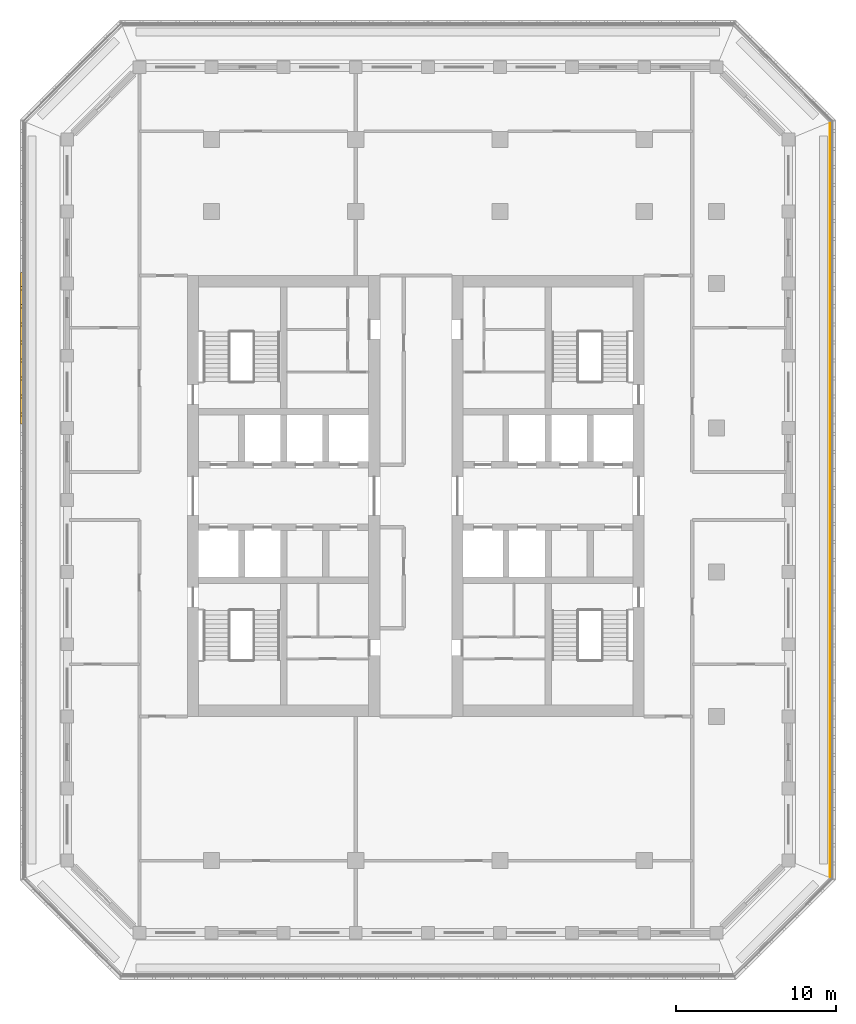
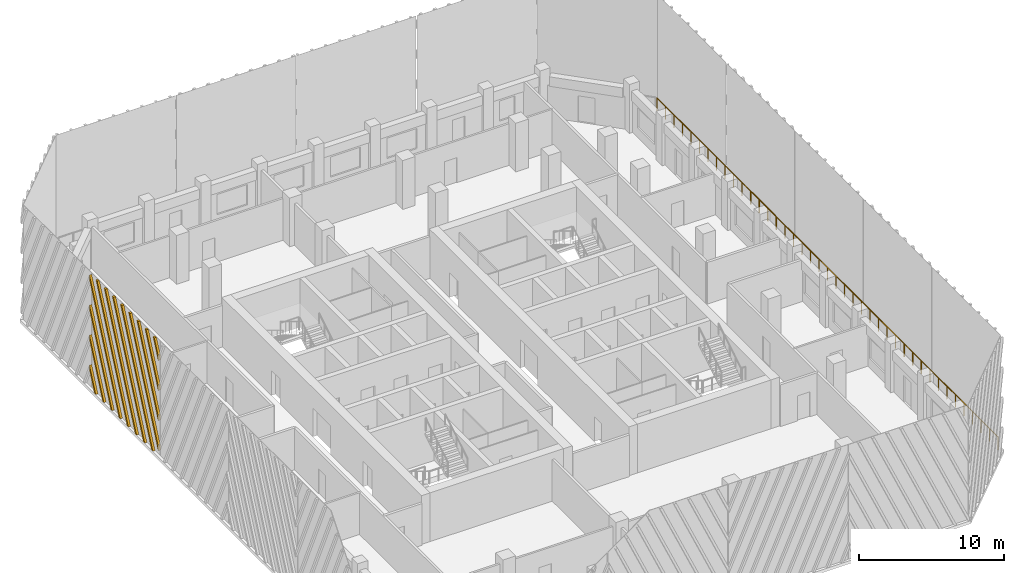
# One storey, part 13 of 17: 1 railing, 1 shading device.
"""IFC4 building model written with IfcOpenShell, lengths in metres."""

from ifc_helpers import new_model, si_unit, direction, frame, origin, origin_2d, place, context, subcontext, project, spatial, polyline, circle, outline, extrude, source, transform, mapped, material, type_object, element, save


model = new_model("IFC4")

# Units and contexts
model_context = context("Model", 3, precision=1e-05, world=origin(), true_north=direction((0.0, 1.0)))
body_context = subcontext(model_context, "Body", "Model", "MODEL_VIEW")
ifc_project = project(units=[si_unit("LENGTHUNIT", "METRE"), si_unit("AREAUNIT", "SQUARE_METRE"), si_unit("VOLUMEUNIT", "CUBIC_METRE"), si_unit("PLANEANGLEUNIT", "RADIAN"), si_unit("MASSUNIT", "GRAM", prefix="KILO")], contexts=[model_context])

# Site, building, storey
site_placement = place(None, origin())
site = spatial("IfcSite", under=ifc_project, at=site_placement, CompositionType="ELEMENT")
building_placement = place(site_placement, origin())
building = spatial("IfcBuilding", under=site, at=building_placement, Name="Corbel Stack Research Tower", CompositionType="ELEMENT")
storey_placement = place(building_placement, frame((0.0, 0.0, 256.199951171875)))
storey = spatial("IfcBuildingStorey", under=building, at=storey_placement, Name="L58", CompositionType="ELEMENT", Elevation=256.199951171875)

# Railing
ifc_material_1 = material(Name="Powder-coated steel guard", Category="steel")
railing_type = type_object("IfcRailingType", Name="Steel and glass guard 1100", PredefinedType="GUARDRAIL", material=ifc_material_1)
railing_placement = place(storey_placement, frame((29.60009765625, -19.00537109375, 0.0)))
element("IfcRailing", 1, at=railing_placement, inside=storey, type_object=railing_type, Name="Loggia guard L58 E", PredefinedType="GUARDRAIL", context=body_context, shape_type="SweptSolid", body=[
    extrude(circle(Radius=0.02392578125, at=origin_2d()), frame((0.0, 0.0, 1.076171875), z_axis=(0.0, 1.0, 0.0), x_axis=(-1.0, 0.0, 0.0)), (0.0, 0.0, 1.0), 47.0107421875),
    extrude(circle(Radius=0.02099609375, at=origin_2d()), origin(), (0.0, 0.0, 1.0), 1.052001953125),
    extrude(circle(Radius=0.02099609375, at=origin_2d()), frame((0.0, 1.17529296875, 0.0)), (0.0, 0.0, 1.0), 1.052001953125),
    extrude(circle(Radius=0.02099609375, at=origin_2d()), frame((0.0, 2.3505859375, 0.0)), (0.0, 0.0, 1.0), 1.052001953125),
    extrude(circle(Radius=0.02099609375, at=origin_2d()), frame((0.0, 3.52587890625, 0.0)), (0.0, 0.0, 1.0), 1.052001953125),
    extrude(circle(Radius=0.02099609375, at=origin_2d()), frame((0.0, 4.701171875, 0.0)), (0.0, 0.0, 1.0), 1.052001953125),
    extrude(circle(Radius=0.02099609375, at=origin_2d()), frame((0.0, 5.87646484375, 0.0)), (0.0, 0.0, 1.0), 1.052001953125),
    extrude(circle(Radius=0.02099609375, at=origin_2d()), frame((0.0, 7.051513671875, 0.0)), (0.0, 0.0, 1.0), 1.052001953125),
    extrude(circle(Radius=0.02099609375, at=origin_2d()), frame((0.0, 8.226806640625, 0.0)), (0.0, 0.0, 1.0), 1.052001953125),
    extrude(circle(Radius=0.02099609375, at=origin_2d()), frame((0.0, 9.402099609375, 0.0)), (0.0, 0.0, 1.0), 1.052001953125),
    extrude(circle(Radius=0.02099609375, at=origin_2d()), frame((0.0, 10.577392578125, 0.0)), (0.0, 0.0, 1.0), 1.052001953125),
    extrude(circle(Radius=0.02099609375, at=origin_2d()), frame((0.0, 11.752685546875, 0.0)), (0.0, 0.0, 1.0), 1.052001953125),
    extrude(circle(Radius=0.02099609375, at=origin_2d()), frame((0.0, 12.927978515625, 0.0)), (0.0, 0.0, 1.0), 1.052001953125),
    extrude(circle(Radius=0.02099609375, at=origin_2d()), frame((0.0, 14.103271484375, 0.0)), (0.0, 0.0, 1.0), 1.052001953125),
    extrude(circle(Radius=0.02099609375, at=origin_2d()), frame((0.0, 15.278564453125, 0.0)), (0.0, 0.0, 1.0), 1.052001953125),
    extrude(circle(Radius=0.02099609375, at=origin_2d()), frame((0.0, 16.453857421875, 0.0)), (0.0, 0.0, 1.0), 1.052001953125),
    extrude(circle(Radius=0.02099609375, at=origin_2d()), frame((0.0, 17.62890625, 0.0)), (0.0, 0.0, 1.0), 1.052001953125),
    extrude(circle(Radius=0.02099609375, at=origin_2d()), frame((0.0, 18.80419921875, 0.0)), (0.0, 0.0, 1.0), 1.052001953125),
    extrude(circle(Radius=0.02099609375, at=origin_2d()), frame((0.0, 19.9794921875, 0.0)), (0.0, 0.0, 1.0), 1.052001953125),
    extrude(circle(Radius=0.02099609375, at=origin_2d()), frame((0.0, 21.15478515625, 0.0)), (0.0, 0.0, 1.0), 1.052001953125),
    extrude(circle(Radius=0.02099609375, at=origin_2d()), frame((0.0, 22.330078125, 0.0)), (0.0, 0.0, 1.0), 1.052001953125),
    extrude(circle(Radius=0.02099609375, at=origin_2d()), frame((0.0, 23.50537109375, 0.0)), (0.0, 0.0, 1.0), 1.052001953125),
    extrude(circle(Radius=0.02099609375, at=origin_2d()), frame((0.0, 24.6806640625, 0.0)), (0.0, 0.0, 1.0), 1.052001953125),
    extrude(circle(Radius=0.02099609375, at=origin_2d()), frame((0.0, 25.85595703125, 0.0)), (0.0, 0.0, 1.0), 1.052001953125),
    extrude(circle(Radius=0.02099609375, at=origin_2d()), frame((0.0, 27.03125, 0.0)), (0.0, 0.0, 1.0), 1.052001953125),
    extrude(circle(Radius=0.02099609375, at=origin_2d()), frame((0.0, 28.20654296875, 0.0)), (0.0, 0.0, 1.0), 1.052001953125),
    extrude(circle(Radius=0.02099609375, at=origin_2d()), frame((0.0, 29.3818359375, 0.0)), (0.0, 0.0, 1.0), 1.052001953125),
    extrude(circle(Radius=0.02099609375, at=origin_2d()), frame((0.0, 30.556884765625, 0.0)), (0.0, 0.0, 1.0), 1.052001953125),
    extrude(circle(Radius=0.02099609375, at=origin_2d()), frame((0.0, 31.732177734375, 0.0)), (0.0, 0.0, 1.0), 1.052001953125),
    extrude(circle(Radius=0.02099609375, at=origin_2d()), frame((0.0, 32.907470703125, 0.0)), (0.0, 0.0, 1.0), 1.052001953125),
    extrude(circle(Radius=0.02099609375, at=origin_2d()), frame((0.0, 34.082763671875, 0.0)), (0.0, 0.0, 1.0), 1.052001953125),
    extrude(circle(Radius=0.02099609375, at=origin_2d()), frame((0.0, 35.258056640625, 0.0)), (0.0, 0.0, 1.0), 1.052001953125),
    extrude(circle(Radius=0.02099609375, at=origin_2d()), frame((0.0, 36.433349609375, 0.0)), (0.0, 0.0, 1.0), 1.052001953125),
    extrude(circle(Radius=0.02099609375, at=origin_2d()), frame((0.0, 37.608642578125, 0.0)), (0.0, 0.0, 1.0), 1.052001953125),
    extrude(circle(Radius=0.02099609375, at=origin_2d()), frame((0.0, 38.783935546875, 0.0)), (0.0, 0.0, 1.0), 1.052001953125),
    extrude(circle(Radius=0.02099609375, at=origin_2d()), frame((0.0, 39.959228515625, 0.0)), (0.0, 0.0, 1.0), 1.052001953125),
    extrude(circle(Radius=0.02099609375, at=origin_2d()), frame((0.0, 41.13427734375, 0.0)), (0.0, 0.0, 1.0), 1.052001953125),
    extrude(circle(Radius=0.02099609375, at=origin_2d()), frame((0.0, 42.3095703125, 0.0)), (0.0, 0.0, 1.0), 1.052001953125),
    extrude(circle(Radius=0.02099609375, at=origin_2d()), frame((0.0, 43.48486328125, 0.0)), (0.0, 0.0, 1.0), 1.052001953125),
    extrude(circle(Radius=0.02099609375, at=origin_2d()), frame((0.0, 44.66015625, 0.0)), (0.0, 0.0, 1.0), 1.052001953125),
    extrude(circle(Radius=0.02099609375, at=origin_2d()), frame((0.0, 45.83544921875, 0.0)), (0.0, 0.0, 1.0), 1.052001953125),
    extrude(circle(Radius=0.02099609375, at=origin_2d()), frame((0.0, 47.0107421875, 0.0)), (0.0, 0.0, 1.0), 1.052001953125),
])

# Shading device
ifc_material_2 = material(Name="Precast terracotta", Category="masonry")
shading_device_type = type_object("IfcShadingDeviceType", Name="Terracotta screen panel", PredefinedType="USERDEFINED", material=ifc_material_2)
shared_shape = source(origin(), body_context, "Body", "SweptSolid", [
    extrude(outline(polyline([(0.862060546875, 0.0), (0.0, 1.936279296875), (0.0, 1.509521484375), (0.672119140625, 0.0), (0.862060546875, 0.0)])), frame((0.0, 0.0, 0.0), z_axis=(0.0, -1.0, 0.0), x_axis=(1.0, 0.0, 0.0)), (0.0, 0.0, 1.0), 0.179931640625),
    extrude(outline(polyline([(1.987060546875, 0.0), (0.0, 4.463134765625), (0.0, 4.036376953125), (1.797119140625, 0.0), (1.987060546875, 0.0)])), frame((0.0, 0.0, 0.0), z_axis=(0.0, -1.0, 0.0), x_axis=(1.0, 0.0, 0.0)), (0.0, 0.0, 1.0), 0.179931640625),
    extrude(outline(polyline([(3.112060546875, 0.0), (0.0, 6.989990234375), (0.0, 6.563232421875), (2.922119140625, 0.0), (3.112060546875, 0.0)])), frame((0.0, 0.0, 0.0), z_axis=(0.0, -1.0, 0.0), x_axis=(1.0, 0.0, 0.0)), (0.0, 0.0, 1.0), 0.179931640625),
    extrude(outline(polyline([(4.237060546875, 0.0), (0.0, 9.516845703125), (0.0, 9.090087890625), (4.047119140625, 0.0), (4.237060546875, 0.0)])), frame((0.0, 0.0, 0.0), z_axis=(0.0, -1.0, 0.0), x_axis=(1.0, 0.0, 0.0)), (0.0, 0.0, 1.0), 0.179931640625),
    extrude(outline(polyline([(5.362060546875, 0.0), (1.065673828125, 9.64990234375), (0.875732421875, 9.64990234375), (5.172119140625, 0.0), (5.362060546875, 0.0)])), frame((0.0, 0.0, 0.0), z_axis=(0.0, -1.0, 0.0), x_axis=(1.0, 0.0, 0.0)), (0.0, 0.0, 1.0), 0.179931640625),
    extrude(outline(polyline([(6.487060546875, 0.0), (2.190673828125, 9.64990234375), (2.000732421875, 9.64990234375), (6.297119140625, 0.0), (6.487060546875, 0.0)])), frame((0.0, 0.0, 0.0), z_axis=(0.0, -1.0, 0.0), x_axis=(1.0, 0.0, 0.0)), (0.0, 0.0, 1.0), 0.179931640625),
    extrude(outline(polyline([(7.612060546875, 0.0), (3.315673828125, 9.64990234375), (3.125732421875, 9.64990234375), (7.422119140625, 0.0), (7.612060546875, 0.0)])), frame((0.0, 0.0, 0.0), z_axis=(0.0, -1.0, 0.0), x_axis=(1.0, 0.0, 0.0)), (0.0, 0.0, 1.0), 0.179931640625),
    extrude(outline(polyline([(8.737060546875, 0.0), (4.440673828125, 9.64990234375), (4.250732421875, 9.64990234375), (8.547119140625, 0.0), (8.737060546875, 0.0)])), frame((0.0, 0.0, 0.0), z_axis=(0.0, -1.0, 0.0), x_axis=(1.0, 0.0, 0.0)), (0.0, 0.0, 1.0), 0.179931640625),
    extrude(outline(polyline([(5.565673828125, 9.64990234375), (5.375732421875, 9.64990234375), (9.45556640625, 0.486328125), (9.45556640625, 0.9130859375), (5.565673828125, 9.64990234375)])), frame((0.0, 0.0, 0.0), z_axis=(0.0, -1.0, 0.0), x_axis=(1.0, 0.0, 0.0)), (0.0, 0.0, 1.0), 0.179931640625),
    extrude(outline(polyline([(6.690673828125, 9.64990234375), (6.500732421875, 9.64990234375), (9.45556640625, 3.01318359375), (9.45556640625, 3.439697265625), (6.690673828125, 9.64990234375)])), frame((0.0, 0.0, 0.0), z_axis=(0.0, -1.0, 0.0), x_axis=(1.0, 0.0, 0.0)), (0.0, 0.0, 1.0), 0.179931640625),
    extrude(outline(polyline([(7.815673828125, 9.64990234375), (7.625732421875, 9.64990234375), (9.45556640625, 5.539794921875), (9.45556640625, 5.966552734375), (7.815673828125, 9.64990234375)])), frame((0.0, 0.0, 0.0), z_axis=(0.0, -1.0, 0.0), x_axis=(1.0, 0.0, 0.0)), (0.0, 0.0, 1.0), 0.179931640625),
    extrude(outline(polyline([(8.940673828125, 9.64990234375), (8.750732421875, 9.64990234375), (9.45556640625, 8.066650390625), (9.45556640625, 8.493408203125), (8.940673828125, 9.64990234375)])), frame((0.0, 0.0, 0.0), z_axis=(0.0, -1.0, 0.0), x_axis=(1.0, 0.0, 0.0)), (0.0, 0.0, 1.0), 0.179931640625),
])
shading_device_placement = place(storey_placement, frame((-20.75, 18.68359375, 0.0), z_axis=(0.0, 0.0, 1.0), x_axis=(0.0, -1.0, 0.0)))
element("IfcShadingDevice", 2, at=shading_device_placement, inside=storey, type_object=shading_device_type, Name="Terracotta screen L58 W2", ObjectType="SCREEN", PredefinedType="USERDEFINED", context=body_context, shape_type="MappedRepresentation", body=[
    mapped(shared_shape, transform((0.0, 0.0, 0.0))),
])

save(model, "model.ifc")
